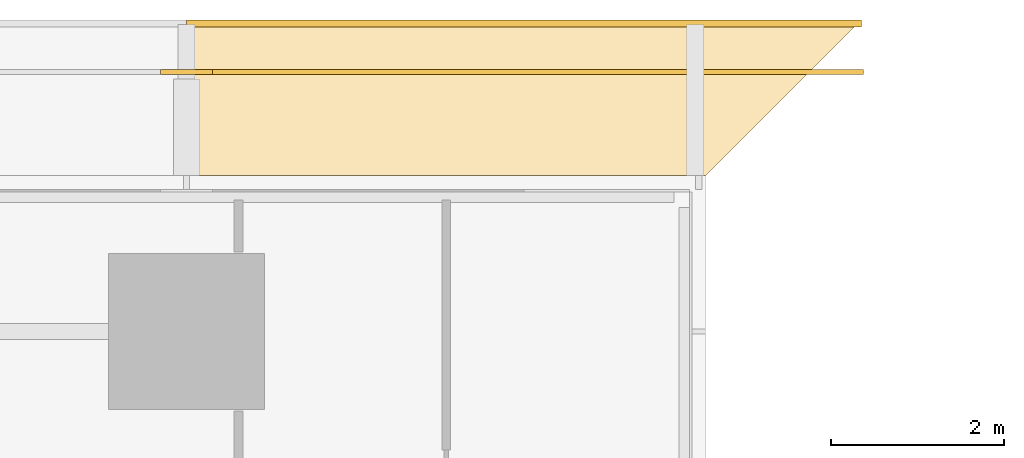
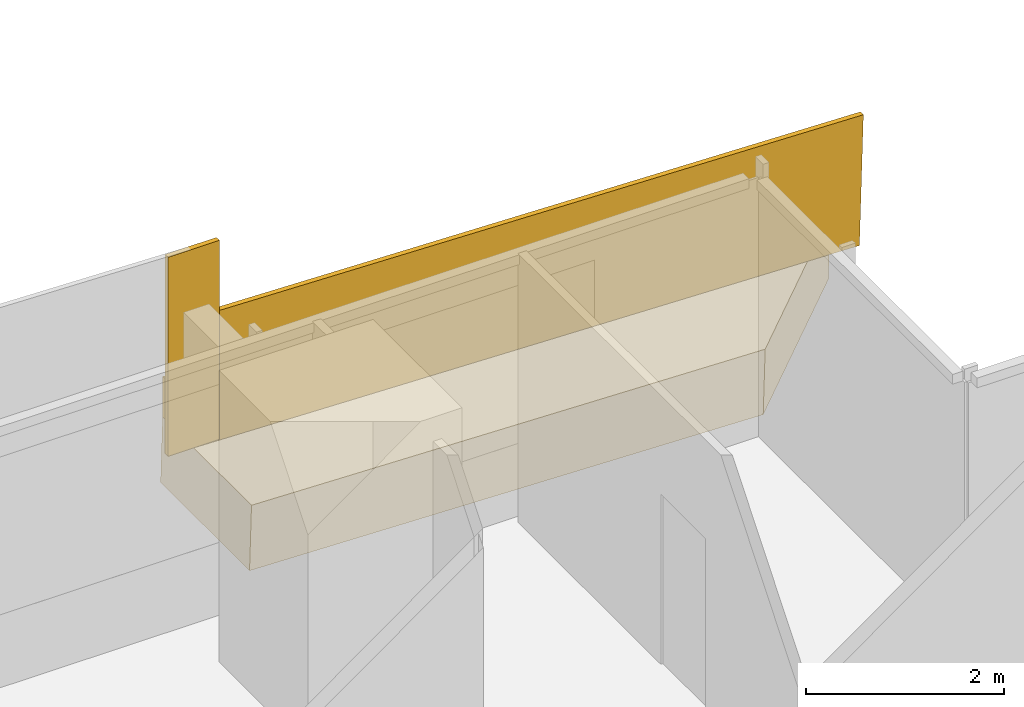
# One storey, part 31 of 31: 2 coverings, 2 railings.
"""IFC4 building model written with IfcOpenShell, lengths in metres."""

from ifc_helpers import new_model, si_unit, direction, frame, origin, origin_2d, place, context, subcontext, project, spatial, polyline, rectangle, outline, extrude, material, layer, layer_set, type_object, element, save


model = new_model("IFC4")

# Units and contexts
model_context = context("Model", 3, precision=1e-05, world=origin(), true_north=direction((0.0, 1.0)))
body_context = subcontext(model_context, "Body", "Model", "MODEL_VIEW")
ifc_project = project(units=[si_unit("LENGTHUNIT", "METRE"), si_unit("AREAUNIT", "SQUARE_METRE"), si_unit("VOLUMEUNIT", "CUBIC_METRE"), si_unit("PLANEANGLEUNIT", "RADIAN"), si_unit("MASSUNIT", "GRAM", prefix="KILO")], contexts=[model_context])

# Site, building, storey
site_placement = place(None, origin())
site = spatial("IfcSite", under=ifc_project, at=site_placement, CompositionType="ELEMENT")
building_placement = place(site_placement, origin())
building = spatial("IfcBuilding", under=site, at=building_placement, Name="Saffron Gate Tower", CompositionType="ELEMENT")
storey_placement = place(building_placement, frame((0.0, 0.0, 147.449951171875)))
storey = spatial("IfcBuildingStorey", under=building, at=storey_placement, Name="L35", CompositionType="ELEMENT", Elevation=147.449951171875)

# Coverings
ifc_material = material(Name="Timber, thermally modified ash", Category="wood")
ifc_layer_1 = layer(ifc_material, 0.800048828125)
ifc_layer_set_1 = layer_set([ifc_layer_1], Name="LD1 ledge timber")
covering_type_1 = type_object("IfcCoveringType", Name="LD1 ledge timber", PredefinedType="CLADDING", material=ifc_layer_set_1)
covering_1_placement = place(storey_placement, frame((123.0, 75.60009765625, 0.900146484375), z_axis=(0.028807146299, 3.5032058e-05, 0.99958498743), x_axis=(-0.999584988043, 3.68e-10, 0.028807146316)))
element("IfcCovering", 1, at=covering_1_placement, inside=storey, type_object=covering_type_1, Name="LEDGE", PredefinedType="CLADDING", context=body_context, shape_type="SweptSolid", body=[
    extrude(outline(polyline([(0.0, 0.0), (6.0024892885105, 0.0), (6.002489289172793, -1.7998046863955992), (-1.800799813548424, -1.799804691475862), (0.0, 0.0)])), origin(), (0.0, 0.0, -1.0), 0.800048828125),
])
ifc_layer_2 = layer(ifc_material, 0.080078125)
ifc_layer_set_2 = layer_set([ifc_layer_2], Name="LD2 ledge planter trough")
covering_type_2 = type_object("IfcCoveringType", Name="LD2 ledge planter trough", PredefinedType="CLADDING", material=ifc_layer_set_2)
covering_2_placement = place(storey_placement, frame((124.800048828125, 77.39990234375, 0.84814453125), z_axis=(0.0, 1.0, 0.0), x_axis=(-0.999584755248, 0.0, 0.028815222999)))
element("IfcCovering", 2, at=covering_2_placement, inside=storey, type_object=covering_type_2, Name="LEDGE planter trough", PredefinedType="CLADDING", context=body_context, shape_type="SweptSolid", body=[
    extrude(outline(polyline([(0.0, 0.0), (7.803289102975944, 0.0), (7.8176967144752565, 0.4997923776238338), (0.014407611499312996, 0.4997923776238338), (0.0, 0.0)])), origin(), (0.0, 0.0, -1.0), 0.080078125),
])

# Railings
railing_type = type_object("IfcRailingType", Name="LG1 ledge balustrade", PredefinedType="BALUSTRADE", material=ifc_material)
railing_1_placement = place(storey_placement, frame((124.800048828125, 76.800048828125, 0.84814453125)))
element("IfcRailing", 3, at=railing_1_placement, inside=storey, type_object=railing_type, Name="LEDGE BALUSTRADE", PredefinedType="BALUSTRADE", context=body_context, shape_type="SweptSolid", body=[
    extrude(rectangle(XDim=0.06005859375, YDim=1.60009765625, at=origin_2d()), frame((0.0, 0.0, 0.800048828125), z_axis=(-0.999584755248, 0.0, 0.028815222999), x_axis=(0.0, -1.0, 0.0)), (0.0, 0.0, 1.0), 7.80322265625),
])
railing_2_placement = place(storey_placement, frame((117.300048828125, 76.800048828125, 1.072998046875)))
element("IfcRailing", 4, at=railing_2_placement, inside=storey, type_object=railing_type, Name="LEDGE BALUSTRADE", PredefinedType="BALUSTRADE", context=body_context, shape_type="SweptSolid", body=[
    extrude(rectangle(XDim=0.06005859375, YDim=2.45751953125, at=origin_2d()), frame((0.0, 0.0, 1.228759765625), z_axis=(-1.0, 0.0, 0.0), x_axis=(0.0, -1.0, 0.0)), (0.0, 0.0, 1.0), 0.60009765625),
])

save(model, "model.ifc")
